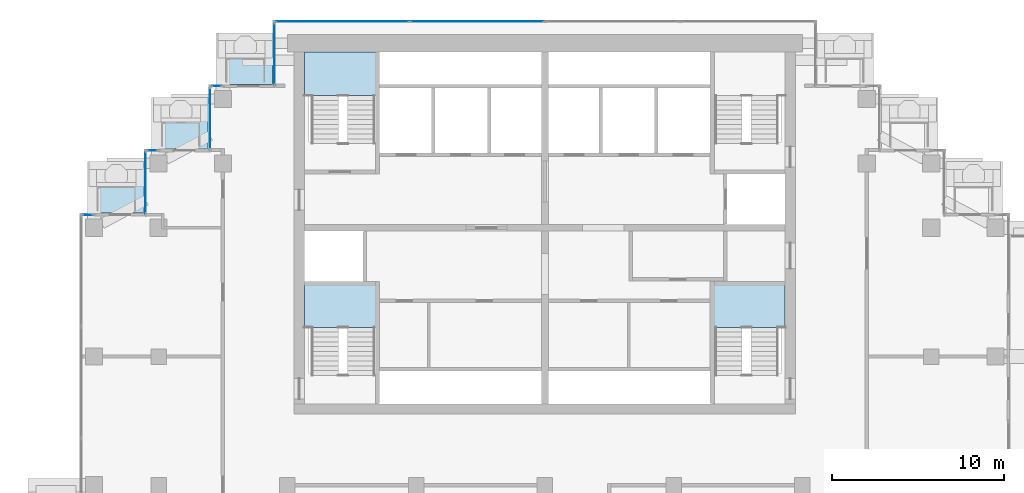
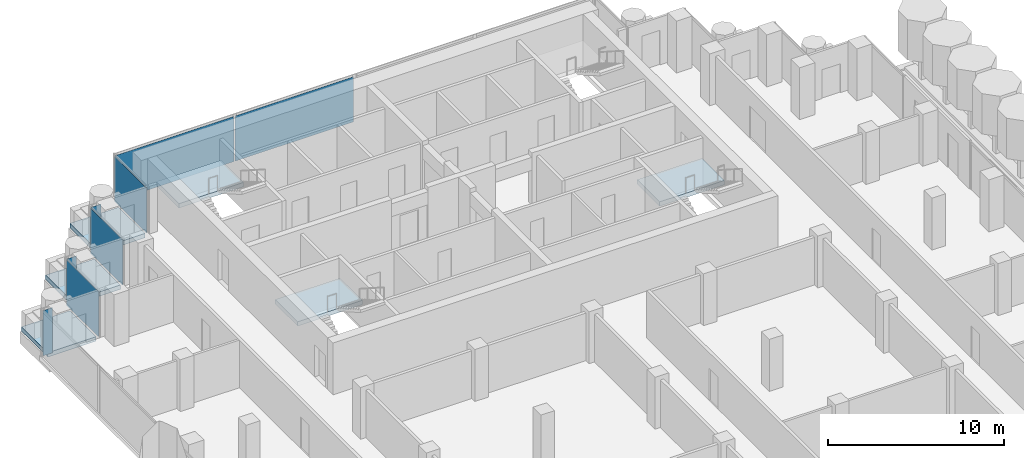
# One storey, part 9 of 18: 8 plates, 6 slabs, 10 elements without a shape of their own.
"""IFC4 building model written with IfcOpenShell, lengths in metres."""

from ifc_helpers import new_model, si_unit, direction, frame, origin, origin_2d, place, context, subcontext, project, spatial, polyline, rectangle, outline, extrude, material, layer, layer_set, type_object, element, aggregate, save


model = new_model("IFC4")

# Units and contexts
model_context = context("Model", 3, precision=1e-05, world=origin(), true_north=direction((0.0, 1.0)))
body_context = subcontext(model_context, "Body", "Model", "MODEL_VIEW")
ifc_project = project(units=[si_unit("LENGTHUNIT", "METRE"), si_unit("AREAUNIT", "SQUARE_METRE"), si_unit("VOLUMEUNIT", "CUBIC_METRE"), si_unit("PLANEANGLEUNIT", "RADIAN"), si_unit("MASSUNIT", "GRAM", prefix="KILO")], contexts=[model_context])

# Site, building, storey
site_placement = place(None, origin())
site = spatial("IfcSite", under=ifc_project, at=site_placement, CompositionType="ELEMENT")
building_placement = place(site_placement, origin())
building = spatial("IfcBuilding", under=site, at=building_placement, Name="Pilkhan Gate Tower", CompositionType="ELEMENT")
storey_placement = place(building_placement, frame((0.0, 0.0, 210.300048828125)))
storey = spatial("IfcBuildingStorey", under=building, at=storey_placement, Name="L54", CompositionType="ELEMENT", Elevation=210.300048828125)

# Slabs
ifc_material_1 = material(Name="Concrete C60/75", Category="concrete")
ifc_layer_1 = layer(ifc_material_1, 0.300048828125)
ifc_layer_set_1 = layer_set([ifc_layer_1], Name="Balcony tray slab TR300")
slab_type_1 = type_object("IfcSlabType", Name="Balcony tray slab TR300", PredefinedType="FLOOR", material=ifc_layer_set_1)
slab_1_placement = place(storey_placement, frame((0.0, 0.0, -0.300048828125)))
element("IfcSlab", 1, at=slab_1_placement, inside=storey, type_object=slab_type_1, Name="Balcony tray L54 N", PredefinedType="FLOOR", context=body_context, shape_type="SweptSolid", body=[
    extrude(outline(polyline([(59.14990234375, 90.85009765625), (59.14990234375, 93.85009765625), (55.949951171875, 93.85009765625), (55.949951171875, 90.85009765625), (59.14990234375, 90.85009765625)])), origin(), (0.0, 0.0, 1.0), 0.300048828125),
])
slab_2_placement = place(storey_placement, frame((0.0, 0.0, -0.300048828125)))
element("IfcSlab", 2, at=slab_2_placement, inside=storey, type_object=slab_type_1, Name="Balcony tray L54 N", PredefinedType="FLOOR", context=body_context, shape_type="SweptSolid", body=[
    extrude(outline(polyline([(55.3798828125, 87.1201171875), (55.3798828125, 90.10009765625), (52.199951171875, 90.10009765625), (52.199951171875, 87.1201171875), (55.3798828125, 87.1201171875)])), origin(), (0.0, 0.0, 1.0), 0.300048828125),
])
slab_3_placement = place(storey_placement, frame((0.0, 0.0, -0.300048828125)))
element("IfcSlab", 3, at=slab_3_placement, inside=storey, type_object=slab_type_1, Name="Balcony tray L54 N", PredefinedType="FLOOR", context=body_context, shape_type="SweptSolid", body=[
    extrude(outline(polyline([(51.6298828125, 83.3701171875), (51.6298828125, 86.35009765625), (48.449951171875, 86.35009765625), (48.449951171875, 83.3701171875), (51.6298828125, 83.3701171875)])), origin(), (0.0, 0.0, 1.0), 0.300048828125),
])

# Curtain wall, plates
ifc_material_2 = material(Name="Pale anodised aluminium, clear low-iron double glazing", Category="aluminium")
curtain_wall_type = type_object("IfcCurtainWallType", Name="Office unitised curtain wall CW-O2", PredefinedType="USERDEFINED", material=ifc_material_2)
curtain_wall_1_placement = place(storey_placement, origin())
curtain_wall_1 = element("IfcCurtainWall", 4, at=curtain_wall_1_placement, inside=storey, type_object=curtain_wall_type, Name="Office unitised curtain wall CW-O2 L54 N", ObjectType="UNITISED CURTAIN WALL", PredefinedType="USERDEFINED")
ifc_material_3 = material(Name="Clear low-iron double glazing", Category="glass")
ifc_layer_2 = layer(ifc_material_3, 0.031982421875)
ifc_layer_set_2 = layer_set([ifc_layer_2], Name="Glass panel CW-O2 32")
plate_type = type_object("IfcPlateType", Name="Glass panel CW-O2 32", PredefinedType="CURTAIN_PANEL", material=ifc_layer_set_2)
plate_1_placement = place(storey_placement, frame((63.203857421875, 94.5, 0.0), z_axis=(0.0, 0.0, 1.0), x_axis=(1.0, 0.0, 0.0)))
plate_1 = element("IfcPlate", 5, at=plate_1_placement, type_object=plate_type, Name="CW-O2 panel 1", PredefinedType="CURTAIN_PANEL", context=body_context, shape_type="SweptSolid", body=[
    extrude(rectangle(XDim=7.777587890625, YDim=0.031982421875, at=origin_2d()), origin(), (0.0, 0.0, 1.0), 3.135009765625),
])
plate_2_placement = place(storey_placement, frame((71.046142578125, 94.5, 0.0), z_axis=(0.0, 0.0, 1.0), x_axis=(1.0, 0.0, 0.0)))
plate_2 = element("IfcPlate", 6, at=plate_2_placement, type_object=plate_type, Name="CW-O2 panel 2", PredefinedType="CURTAIN_PANEL", context=body_context, shape_type="SweptSolid", body=[
    extrude(rectangle(XDim=7.777587890625, YDim=0.031982421875, at=origin_2d()), origin(), (0.0, 0.0, 1.0), 3.135009765625),
])
aggregate(curtain_wall_1, [plate_1, plate_2])

# Curtain wall, plate
curtain_wall_2_placement = place(storey_placement, origin())
curtain_wall_2 = element("IfcCurtainWall", 7, at=curtain_wall_2_placement, inside=storey, type_object=curtain_wall_type, Name="Office unitised curtain wall CW-O2 L54 W", ObjectType="UNITISED CURTAIN WALL", PredefinedType="USERDEFINED")
plate_3_placement = place(storey_placement, frame((59.25, 92.625, 0.0), z_axis=(0.0, 0.0, 1.0), x_axis=(0.0, 1.0, 0.0)))
plate_3 = element("IfcPlate", 8, at=plate_3_placement, type_object=plate_type, Name="CW-O2 panel 1", PredefinedType="CURTAIN_PANEL", context=body_context, shape_type="SweptSolid", body=[
    extrude(rectangle(XDim=3.6201171875, YDim=0.031982421875, at=origin_2d()), origin(), (0.0, 0.0, 1.0), 3.135009765625),
])
aggregate(curtain_wall_2, [plate_3])

curtain_wall_3_placement = place(storey_placement, origin())
curtain_wall_3 = element("IfcCurtainWall", 9, at=curtain_wall_3_placement, inside=storey, type_object=curtain_wall_type, Name="Office unitised curtain wall CW-O2 L54 N", ObjectType="UNITISED CURTAIN WALL", PredefinedType="USERDEFINED")
plate_4_placement = place(storey_placement, frame((55.875, 90.75, 0.0), z_axis=(0.0, 0.0, 1.0), x_axis=(1.0, 0.0, 0.0)))
plate_4 = element("IfcPlate", 10, at=plate_4_placement, type_object=plate_type, Name="CW-O2 panel 1", PredefinedType="CURTAIN_PANEL", context=body_context, shape_type="SweptSolid", body=[
    extrude(rectangle(XDim=0.6201171875, YDim=0.031982421875, at=origin_2d()), origin(), (0.0, 0.0, 1.0), 3.135009765625),
])
aggregate(curtain_wall_3, [plate_4])

curtain_wall_4_placement = place(storey_placement, origin())
curtain_wall_4 = element("IfcCurtainWall", 11, at=curtain_wall_4_placement, inside=storey, type_object=curtain_wall_type, Name="Office unitised curtain wall CW-O2 L54 W", ObjectType="UNITISED CURTAIN WALL", PredefinedType="USERDEFINED")
plate_5_placement = place(storey_placement, frame((55.5, 88.875, 0.0), z_axis=(0.0, 0.0, 1.0), x_axis=(0.0, 1.0, 0.0)))
plate_5 = element("IfcPlate", 12, at=plate_5_placement, type_object=plate_type, Name="CW-O2 panel 1", PredefinedType="CURTAIN_PANEL", context=body_context, shape_type="SweptSolid", body=[
    extrude(rectangle(XDim=3.6201171875, YDim=0.031982421875, at=origin_2d()), origin(), (0.0, 0.0, 1.0), 3.135009765625),
])
aggregate(curtain_wall_4, [plate_5])

curtain_wall_5_placement = place(storey_placement, origin())
curtain_wall_5 = element("IfcCurtainWall", 13, at=curtain_wall_5_placement, inside=storey, type_object=curtain_wall_type, Name="Office unitised curtain wall CW-O2 L54 N", ObjectType="UNITISED CURTAIN WALL", PredefinedType="USERDEFINED")
plate_6_placement = place(storey_placement, frame((52.125, 87.0, 0.0), z_axis=(0.0, 0.0, 1.0), x_axis=(1.0, 0.0, 0.0)))
plate_6 = element("IfcPlate", 14, at=plate_6_placement, type_object=plate_type, Name="CW-O2 panel 1", PredefinedType="CURTAIN_PANEL", context=body_context, shape_type="SweptSolid", body=[
    extrude(rectangle(XDim=0.6201171875, YDim=0.031982421875, at=origin_2d()), origin(), (0.0, 0.0, 1.0), 3.135009765625),
])
aggregate(curtain_wall_5, [plate_6])

curtain_wall_6_placement = place(storey_placement, origin())
curtain_wall_6 = element("IfcCurtainWall", 15, at=curtain_wall_6_placement, inside=storey, type_object=curtain_wall_type, Name="Office unitised curtain wall CW-O2 L54 W", ObjectType="UNITISED CURTAIN WALL", PredefinedType="USERDEFINED")
plate_7_placement = place(storey_placement, frame((51.75, 85.125, 0.0), z_axis=(0.0, 0.0, 1.0), x_axis=(0.0, 1.0, 0.0)))
plate_7 = element("IfcPlate", 16, at=plate_7_placement, type_object=plate_type, Name="CW-O2 panel 1", PredefinedType="CURTAIN_PANEL", context=body_context, shape_type="SweptSolid", body=[
    extrude(rectangle(XDim=3.6201171875, YDim=0.031982421875, at=origin_2d()), origin(), (0.0, 0.0, 1.0), 3.135009765625),
])
aggregate(curtain_wall_6, [plate_7])

curtain_wall_7_placement = place(storey_placement, origin())
curtain_wall_7 = element("IfcCurtainWall", 17, at=curtain_wall_7_placement, inside=storey, type_object=curtain_wall_type, Name="Office unitised curtain wall CW-O2 L54 N", ObjectType="UNITISED CURTAIN WALL", PredefinedType="USERDEFINED")
plate_8_placement = place(storey_placement, frame((48.375, 83.25, 0.0), z_axis=(0.0, 0.0, 1.0), x_axis=(1.0, 0.0, 0.0)))
plate_8 = element("IfcPlate", 18, at=plate_8_placement, type_object=plate_type, Name="CW-O2 panel 1", PredefinedType="CURTAIN_PANEL", context=body_context, shape_type="SweptSolid", body=[
    extrude(rectangle(XDim=0.6201171875, YDim=0.031982421875, at=origin_2d()), origin(), (0.0, 0.0, 1.0), 3.135009765625),
])
aggregate(curtain_wall_7, [plate_8])

# Stair, slab
ifc_material_4 = material(Name="Concrete C40/50 precast", Category="concrete")
stair_type_1 = type_object("IfcStairType", Name="Stair ST1 164x280", PredefinedType="HALF_TURN_STAIR", material=ifc_material_4)
stair_1_placement = place(storey_placement, origin())
stair_1 = element("IfcStair", 19, at=stair_1_placement, inside=storey, type_object=stair_type_1, Name="Stair ST1 L54", PredefinedType="HALF_TURN_STAIR")
ifc_material_5 = material(Name="Concrete C40/50", Category="concrete")
ifc_layer_3 = layer(ifc_material_5, 0.199951171875)
ifc_layer_set_3 = layer_set([ifc_layer_3], Name="Stair landing SL200")
slab_type_2 = type_object("IfcSlabType", Name="Stair landing SL200", PredefinedType="LANDING", material=ifc_layer_set_3)
slab_4_placement = place(storey_placement, frame((0.0, 0.0, 1.5)))
slab_4 = element("IfcSlab", 20, at=slab_4_placement, type_object=slab_type_2, Name="ST1 landing 1", PredefinedType="LANDING", context=body_context, shape_type="SweptSolid", body=[
    extrude(outline(polyline([(89.0, 76.699951171875), (89.0, 79.25), (84.75, 79.25), (84.75, 76.699951171875), (89.0, 76.699951171875)])), origin(), (0.0, 0.0, 1.0), 0.300048828125),
])
aggregate(stair_1, [slab_4])

stair_type_2 = type_object("IfcStairType", Name="Stair ST2 164x280", PredefinedType="HALF_TURN_STAIR", material=ifc_material_4)
stair_2_placement = place(storey_placement, origin())
stair_2 = element("IfcStair", 21, at=stair_2_placement, inside=storey, type_object=stair_type_2, Name="Stair ST2 L54", PredefinedType="HALF_TURN_STAIR")
slab_5_placement = place(storey_placement, frame((0.0, 0.0, 1.5)))
slab_5 = element("IfcSlab", 22, at=slab_5_placement, type_object=slab_type_2, Name="ST2 landing 1", PredefinedType="LANDING", context=body_context, shape_type="SweptSolid", body=[
    extrude(outline(polyline([(65.25, 76.699951171875), (65.25, 79.25), (61.0, 79.25), (61.0, 76.699951171875), (65.25, 76.699951171875)])), origin(), (0.0, 0.0, 1.0), 0.300048828125),
])
aggregate(stair_2, [slab_5])

stair_type_3 = type_object("IfcStairType", Name="Stair ST3 164x280", PredefinedType="HALF_TURN_STAIR", material=ifc_material_4)
stair_3_placement = place(storey_placement, origin())
stair_3 = element("IfcStair", 23, at=stair_3_placement, inside=storey, type_object=stair_type_3, Name="Stair ST3 L54", PredefinedType="HALF_TURN_STAIR")
slab_6_placement = place(storey_placement, frame((0.0, 0.0, 1.5)))
slab_6 = element("IfcSlab", 24, at=slab_6_placement, type_object=slab_type_2, Name="ST3 landing 1", PredefinedType="LANDING", context=body_context, shape_type="SweptSolid", body=[
    extrude(outline(polyline([(65.25, 90.199951171875), (65.25, 92.75), (61.0, 92.75), (61.0, 90.199951171875), (65.25, 90.199951171875)])), origin(), (0.0, 0.0, 1.0), 0.300048828125),
])
aggregate(stair_3, [slab_6])

save(model, "model.ifc")
